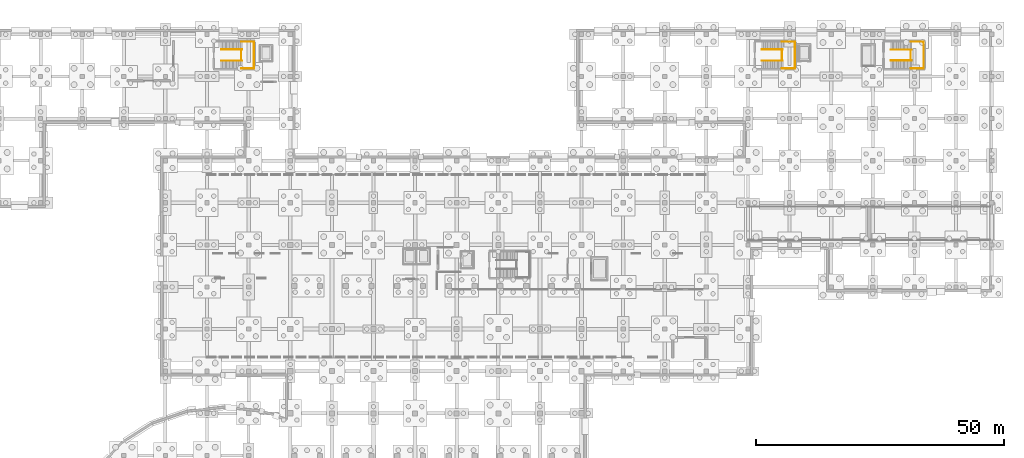
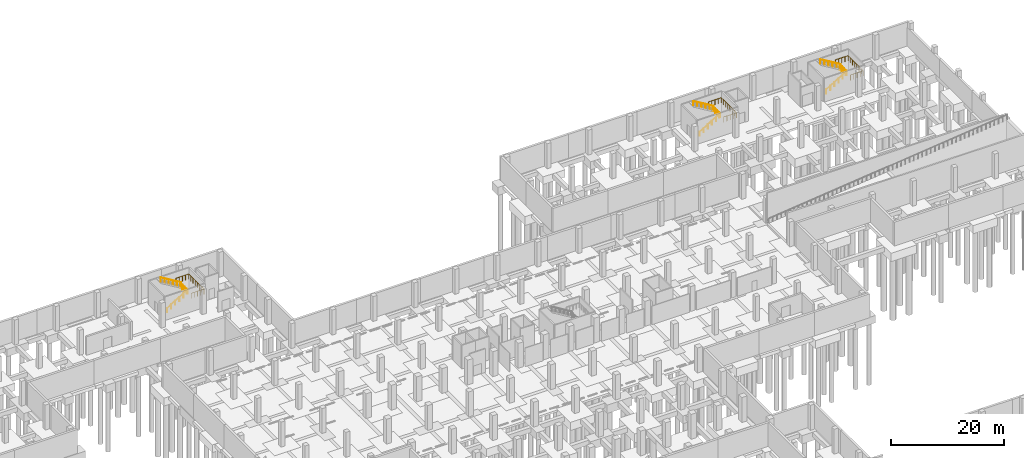
# One storey, part 33 of 34: 12 railings.
"""IFC4 building model written with IfcOpenShell, lengths in metres."""

import ifcopenshell
import ifcopenshell.guid

model = None  # the IFC model being written
_history = None  # IfcOwnerHistory: only IFC2X3 demands one
_inside = {}  # id of a spatial element -> (the spatial element, [elements in it])
_under = {}  # id of a project, library or spatial element -> (it, [spatial elements below it])
_declared = {}  # id of a project -> (the project, [libraries it declares])
_typed = {}  # id of a type object -> (the type object, [elements of that type])
_made_of = {}  # id of a material, layer set ... -> (it, [elements and type objects made of it])


def new_model(schema):
    """Start an empty IFC model of exactly this schema.

    Asked for "IFC4X3", IfcOpenShell would pick the latest addendum, in which some entities
    have other attributes; the version numbers below select the first issue.
    IFC2X3 requires an IfcOwnerHistory on every rooted entity: one is made here for all.
    """
    global model, _history
    if schema == "IFC4X3":
        model = ifcopenshell.file(schema_version=(4, 3, 0, 0))
    else:
        model = ifcopenshell.file(schema=schema)
    _inside.clear()
    _under.clear()
    _declared.clear()
    _typed.clear()
    _made_of.clear()
    _history = None
    if model.schema == "IFC2X3":
        org = make("IfcOrganization", Name="unknown")
        user = make(
            "IfcPersonAndOrganization",
            ThePerson=make("IfcPerson", FamilyName="unknown"),
            TheOrganization=org,
        )
        app = make(
            "IfcApplication",
            ApplicationDeveloper=org,
            Version="unknown",
            ApplicationFullName="unknown",
            ApplicationIdentifier="unknown",
        )
        _history = make(
            "IfcOwnerHistory",
            OwningUser=user,
            OwningApplication=app,
            ChangeAction="ADDED",
            CreationDate=0,
        )
    return model


def make(cls, **values):
    """One entity of the class cls with the attributes given. An attribute that is None is left unset."""
    return model.create_entity(
        cls, **{name: value for name, value in values.items() if value is not None}
    )


def rooted(cls, **values):
    """An entity with a GlobalId (a new one), such as an element, a storey or a relation."""
    return make(cls, GlobalId=ifcopenshell.guid.new(), OwnerHistory=_history, **values)


def si_unit(unit_type, name, prefix=None):
    """IfcSIUnit, for example si_unit("LENGTHUNIT", "METRE", prefix="MILLI")."""
    return make("IfcSIUnit", UnitType=unit_type, Prefix=prefix, Name=name)


def assignment(units):
    """IfcUnitAssignment: the units of a project."""
    return None if units is None else make("IfcUnitAssignment", Units=units)


def point(xyz):
    """IfcCartesianPoint."""
    return None if xyz is None else make("IfcCartesianPoint", Coordinates=xyz)


def direction(xyz):
    """IfcDirection."""
    return None if xyz is None else make("IfcDirection", DirectionRatios=xyz)


def frame(location, z_axis=None, x_axis=None):
    """IfcAxis2Placement3D, a coordinate frame: its origin and axes. An axis left out is left unset."""
    return make(
        "IfcAxis2Placement3D",
        Location=point(location),
        Axis=direction(z_axis),
        RefDirection=direction(x_axis),
    )


def frame_2d(location, x_axis=None):
    """IfcAxis2Placement2D, a coordinate frame in the plane: its origin and x axis."""
    return make(
        "IfcAxis2Placement2D", Location=point(location), RefDirection=direction(x_axis)
    )


def origin():
    """The frame at (0, 0, 0) with its axes left unset."""
    return frame((0.0, 0.0, 0.0))


def origin_2d():
    """The frame at (0, 0) in the plane with its x axis left unset."""
    return frame_2d((0.0, 0.0))


def place(relative_to, where):
    """IfcLocalPlacement: puts the frame where relative to a parent placement (None: the world)."""
    return make(
        "IfcLocalPlacement", PlacementRelTo=relative_to, RelativePlacement=where
    )


def context(
    kind, dimensions, precision=None, world=None, true_north=None, identifier=None
):
    """IfcGeometricRepresentationContext, for example the 3D "Model" context."""
    return make(
        "IfcGeometricRepresentationContext",
        ContextIdentifier=identifier,
        ContextType=kind,
        CoordinateSpaceDimension=dimensions,
        Precision=precision,
        WorldCoordinateSystem=world,
        TrueNorth=true_north,
    )


def subcontext(parent, identifier, kind, view, scale=None):
    """IfcGeometricRepresentationSubContext, for example "Body" below "Model"."""
    return make(
        "IfcGeometricRepresentationSubContext",
        ContextIdentifier=identifier,
        ContextType=kind,
        ParentContext=parent,
        TargetScale=scale,
        TargetView=view,
    )


def project(units=None, contexts=None):
    """IfcProject with its units and contexts."""
    return rooted(
        "IfcProject",
        Name="project",
        RepresentationContexts=contexts,
        UnitsInContext=assignment(units),
    )


def spatial(cls, under=None, at=None, **own):
    """A site, building, storey or space (cls), placed at a placement, below another one or the project."""
    s = rooted(cls, ObjectPlacement=at, **own)
    if under is not None:
        _under.setdefault(under.id(), (under, []))[1].append(s)
    return s


def profile(cls, at=None, kind="AREA", **sizes):
    """A parametric profile (cls). Its sizes go by their IFC names, for example OverallWidth=200.0."""
    return make(cls, ProfileType=kind, Position=at, **sizes)


def circle(**sizes):
    """IfcCircleProfileDef."""
    return profile("IfcCircleProfileDef", **sizes)


def extrude(swept, where, along, depth):
    """IfcExtrudedAreaSolid: the profile swept, set in the frame where, extruded along a direction by depth."""
    return make(
        "IfcExtrudedAreaSolid",
        SweptArea=swept,
        Position=where,
        ExtrudedDirection=direction(along),
        Depth=depth,
    )


def shape(context_of_items, identifier, shape_type, items):
    """IfcShapeRepresentation: the items that make up one representation, for example the "Body"."""
    return make(
        "IfcShapeRepresentation",
        ContextOfItems=context_of_items,
        RepresentationIdentifier=identifier,
        RepresentationType=shape_type,
        Items=items,
    )


def material(Name=None, Category=None):
    """IfcMaterial."""
    return make("IfcMaterial", Name=Name, Category=Category)


def made_of(thing, what):
    """Note that an element or type object is made of a material, layer set ...; save() writes the relation."""
    if what is not None:
        _made_of.setdefault(what.id(), (what, []))[1].append(thing)
    return thing


def type_object(cls, material=None, **own):
    """A type object (cls), such as IfcWallType, which elements share."""
    return made_of(rooted(cls, **own), material)


def element(
    cls,
    number,
    at=None,
    inside=None,
    cuts=None,
    type_object=None,
    material=None,
    context=None,
    identifier="Body",
    shape_type=None,
    held_by="IfcProductDefinitionShape",
    body=None,
    shapes=None,
    **own,
):
    """One element of the class cls, such as IfcWall. Its Tag is "e" and its number.

    at: its placement. inside: the storey or other place that contains it. cuts: it is an
    opening in that element (IfcRelVoidsElement). A single representation is given by context,
    identifier, shape_type and body (its items); several are given by shapes. held_by: the class
    of the entity that holds the representations. save() writes the other relations.
    """
    e = rooted(cls, Tag="e%d" % number, ObjectPlacement=at, **own)
    if body is not None:
        shapes = [shape(context, identifier, shape_type, body)]
    if shapes is not None:
        e.Representation = make(held_by, Representations=shapes)
    if inside is not None:
        _inside.setdefault(inside.id(), (inside, []))[1].append(e)
    if cuts is not None:
        rooted(
            "IfcRelVoidsElement", RelatingBuildingElement=cuts, RelatedOpeningElement=e
        )
    if type_object is not None:
        _typed.setdefault(type_object.id(), (type_object, []))[1].append(e)
    return made_of(e, material)


def aggregate(whole, parts):
    """IfcRelAggregates: a whole, such as a stair, and the parts it consists of."""
    return rooted("IfcRelAggregates", RelatingObject=whole, RelatedObjects=parts)


def save(model, path):
    """Write the relations noted so far, then the file.

    IfcRelAggregates (storeys below a building ...), IfcRelContainedInSpatialStructure (elements
    in a storey), IfcRelDefinesByType, IfcRelAssociatesMaterial and IfcRelDeclares: one each for
    every whole, place, type object, material and project.
    """
    for whole, parts in _under.values():
        aggregate(whole, parts)
    for where, things in _inside.values():
        rooted(
            "IfcRelContainedInSpatialStructure",
            RelatedElements=things,
            RelatingStructure=where,
        )
    for kind, things in _typed.values():
        rooted("IfcRelDefinesByType", RelatedObjects=things, RelatingType=kind)
    for what, things in _made_of.values():
        rooted("IfcRelAssociatesMaterial", RelatedObjects=things, RelatingMaterial=what)
    for by, libraries in _declared.values():
        rooted("IfcRelDeclares", RelatingContext=by, RelatedDefinitions=libraries)
    model.write(path)


model = new_model("IFC4")

# Units and contexts
model_context = context("Model", 3, precision=1e-05, world=origin(), true_north=direction((0.0, 1.0)))
body_context = subcontext(model_context, "Body", "Model", "MODEL_VIEW")
ifc_project = project(units=[si_unit("LENGTHUNIT", "METRE"), si_unit("AREAUNIT", "SQUARE_METRE"), si_unit("VOLUMEUNIT", "CUBIC_METRE"), si_unit("PLANEANGLEUNIT", "RADIAN"), si_unit("MASSUNIT", "GRAM", prefix="KILO")], contexts=[model_context])

# Site, building, storey
site_placement = place(None, origin())
site = spatial("IfcSite", under=ifc_project, at=site_placement, CompositionType="ELEMENT")
building_placement = place(site_placement, origin())
building = spatial("IfcBuilding", under=site, at=building_placement, Name="Solvento Point Concert Hall", CompositionType="ELEMENT")
storey_placement = place(building_placement, frame((0.0, 0.0, -5.39990234375)))
storey = spatial("IfcBuildingStorey", under=building, at=storey_placement, Name="B01", CompositionType="ELEMENT", Elevation=-5.39990234375)

# Railings
ifc_material_1 = material(Name="Brushed Stainless Steel Balustrade", Category="steel")
railing_type_1 = type_object("IfcRailingType", Name="StairHandrail_915", PredefinedType="HANDRAIL", material=ifc_material_1)
railing_1_placement = place(storey_placement, frame((169.64990234375, 130.64990234375, 0.168701171875)))
element("IfcRailing", 1, at=railing_1_placement, inside=storey, type_object=railing_type_1, Name="Stair handrail HR-01 ST-01 B01 F1", PredefinedType="HANDRAIL", context=body_context, shape_type="SweptSolid", body=[
    extrude(circle(Radius=0.0224609375, at=origin_2d()), frame((0.0, 0.0, 0.892578125), z_axis=(0.856489757249, 0.0, 0.516164020179), x_axis=(0.0, 1.0, 0.0)), (0.0, 0.0, 1.0), 4.904052734375),
    extrude(circle(Radius=0.01904296875, at=origin_2d()), origin(), (0.0, 0.0, 1.0), 0.8701171875),
    extrude(circle(Radius=0.01904296875, at=origin_2d()), frame((0.840087890625, 0.0, 0.50634765625)), (0.0, 0.0, 1.0), 0.8701171875),
    extrude(circle(Radius=0.01904296875, at=origin_2d()), frame((1.68017578125, 0.0, 1.012451171875)), (0.0, 0.0, 1.0), 0.8701171875),
    extrude(circle(Radius=0.01904296875, at=origin_2d()), frame((2.52001953125, 0.0, 1.518798828125)), (0.0, 0.0, 1.0), 0.8701171875),
    extrude(circle(Radius=0.01904296875, at=origin_2d()), frame((3.360107421875, 0.0, 2.02490234375)), (0.0, 0.0, 1.0), 0.8701171875),
    extrude(circle(Radius=0.01904296875, at=origin_2d()), frame((4.2001953125, 0.0, 2.53125)), (0.0, 0.0, 1.0), 0.8701171875),
])
railing_2_placement = place(storey_placement, frame((173.85009765625, 132.949951171875, 2.86865234375)))
element("IfcRailing", 2, at=railing_2_placement, inside=storey, type_object=railing_type_1, Name="Stair handrail HR-01 ST-01 B01 F2", PredefinedType="HANDRAIL", context=body_context, shape_type="SweptSolid", body=[
    extrude(circle(Radius=0.0224609375, at=origin_2d()), frame((0.0, 0.0, 0.892578125), z_axis=(-0.856489757249, 0.0, 0.516164020179), x_axis=(0.0, -1.0, 0.0)), (0.0, 0.0, 1.0), 4.904052734375),
    extrude(circle(Radius=0.01904296875, at=origin_2d()), origin(), (0.0, 0.0, 1.0), 0.8701171875),
    extrude(circle(Radius=0.01904296875, at=origin_2d()), frame((-0.840087890625, 0.0, 0.50634765625)), (0.0, 0.0, 1.0), 0.8701171875),
    extrude(circle(Radius=0.01904296875, at=origin_2d()), frame((-1.68017578125, 0.0, 1.012451171875)), (0.0, 0.0, 1.0), 0.8701171875),
    extrude(circle(Radius=0.01904296875, at=origin_2d()), frame((-2.52001953125, 0.0, 1.518798828125)), (0.0, 0.0, 1.0), 0.8701171875),
    extrude(circle(Radius=0.01904296875, at=origin_2d()), frame((-3.360107421875, 0.0, 2.02490234375)), (0.0, 0.0, 1.0), 0.8701171875),
    extrude(circle(Radius=0.01904296875, at=origin_2d()), frame((-4.2001953125, 0.0, 2.53125)), (0.0, 0.0, 1.0), 0.8701171875),
])
railing_3_placement = place(storey_placement, frame((195.64990234375, 130.72998046875, 0.168701171875)))
element("IfcRailing", 3, at=railing_3_placement, inside=storey, type_object=railing_type_1, Name="Stair handrail HR-01 ST-02 B01 F1", PredefinedType="HANDRAIL", context=body_context, shape_type="SweptSolid", body=[
    extrude(circle(Radius=0.0224609375, at=origin_2d()), frame((0.0, 0.0, 0.892578125), z_axis=(0.856489757249, 0.0, 0.516164020179), x_axis=(0.0, 1.0, 0.0)), (0.0, 0.0, 1.0), 4.904052734375),
    extrude(circle(Radius=0.01904296875, at=origin_2d()), origin(), (0.0, 0.0, 1.0), 0.8701171875),
    extrude(circle(Radius=0.01904296875, at=origin_2d()), frame((0.840087890625, 0.0, 0.50634765625)), (0.0, 0.0, 1.0), 0.8701171875),
    extrude(circle(Radius=0.01904296875, at=origin_2d()), frame((1.68017578125, 0.0, 1.012451171875)), (0.0, 0.0, 1.0), 0.8701171875),
    extrude(circle(Radius=0.01904296875, at=origin_2d()), frame((2.52001953125, 0.0, 1.518798828125)), (0.0, 0.0, 1.0), 0.8701171875),
    extrude(circle(Radius=0.01904296875, at=origin_2d()), frame((3.360107421875, 0.0, 2.02490234375)), (0.0, 0.0, 1.0), 0.8701171875),
    extrude(circle(Radius=0.01904296875, at=origin_2d()), frame((4.2001953125, 0.0, 2.53125)), (0.0, 0.0, 1.0), 0.8701171875),
])
railing_4_placement = place(storey_placement, frame((199.85009765625, 132.8701171875, 2.86865234375)))
element("IfcRailing", 4, at=railing_4_placement, inside=storey, type_object=railing_type_1, Name="Stair handrail HR-01 ST-02 B01 F2", PredefinedType="HANDRAIL", context=body_context, shape_type="SweptSolid", body=[
    extrude(circle(Radius=0.0224609375, at=origin_2d()), frame((0.0, 0.0, 0.892578125), z_axis=(-0.856489757249, 0.0, 0.516164020179), x_axis=(0.0, -1.0, 0.0)), (0.0, 0.0, 1.0), 4.904052734375),
    extrude(circle(Radius=0.01904296875, at=origin_2d()), origin(), (0.0, 0.0, 1.0), 0.8701171875),
    extrude(circle(Radius=0.01904296875, at=origin_2d()), frame((-0.840087890625, 0.0, 0.50634765625)), (0.0, 0.0, 1.0), 0.8701171875),
    extrude(circle(Radius=0.01904296875, at=origin_2d()), frame((-1.68017578125, 0.0, 1.012451171875)), (0.0, 0.0, 1.0), 0.8701171875),
    extrude(circle(Radius=0.01904296875, at=origin_2d()), frame((-2.52001953125, 0.0, 1.518798828125)), (0.0, 0.0, 1.0), 0.8701171875),
    extrude(circle(Radius=0.01904296875, at=origin_2d()), frame((-3.360107421875, 0.0, 2.02490234375)), (0.0, 0.0, 1.0), 0.8701171875),
    extrude(circle(Radius=0.01904296875, at=origin_2d()), frame((-4.2001953125, 0.0, 2.53125)), (0.0, 0.0, 1.0), 0.8701171875),
])
railing_5_placement = place(storey_placement, frame((60.449951171875, 130.64990234375, 0.168701171875)))
element("IfcRailing", 5, at=railing_5_placement, inside=storey, type_object=railing_type_1, Name="Stair handrail HR-01 ST-04 B01 F1", PredefinedType="HANDRAIL", context=body_context, shape_type="SweptSolid", body=[
    extrude(circle(Radius=0.0224609375, at=origin_2d()), frame((0.0, 0.0, 0.892578125), z_axis=(0.856476492594, 0.0, 0.516186030065), x_axis=(0.0, 1.0, 0.0)), (0.0, 0.0, 1.0), 4.90380859375),
    extrude(circle(Radius=0.01904296875, at=origin_2d()), origin(), (0.0, 0.0, 1.0), 0.8701171875),
    extrude(circle(Radius=0.01904296875, at=origin_2d()), frame((0.840087890625, 0.0, 0.50634765625)), (0.0, 0.0, 1.0), 0.8701171875),
    extrude(circle(Radius=0.01904296875, at=origin_2d()), frame((1.679931640625, 0.0, 1.012451171875)), (0.0, 0.0, 1.0), 0.8701171875),
    extrude(circle(Radius=0.01904296875, at=origin_2d()), frame((2.52001953125, 0.0, 1.518798828125)), (0.0, 0.0, 1.0), 0.8701171875),
    extrude(circle(Radius=0.01904296875, at=origin_2d()), frame((3.35986328125, 0.0, 2.02490234375)), (0.0, 0.0, 1.0), 0.8701171875),
    extrude(circle(Radius=0.01904296875, at=origin_2d()), frame((4.199951171875, 0.0, 2.53125)), (0.0, 0.0, 1.0), 0.8701171875),
])
railing_6_placement = place(storey_placement, frame((64.64990234375, 132.949951171875, 2.86865234375)))
element("IfcRailing", 6, at=railing_6_placement, inside=storey, type_object=railing_type_1, Name="Stair handrail HR-01 ST-04 B01 F2", PredefinedType="HANDRAIL", context=body_context, shape_type="SweptSolid", body=[
    extrude(circle(Radius=0.0224609375, at=origin_2d()), frame((0.0, 0.0, 0.892578125), z_axis=(-0.856476492594, 0.0, 0.516186030065), x_axis=(0.0, -1.0, 0.0)), (0.0, 0.0, 1.0), 4.90380859375),
    extrude(circle(Radius=0.01904296875, at=origin_2d()), origin(), (0.0, 0.0, 1.0), 0.8701171875),
    extrude(circle(Radius=0.01904296875, at=origin_2d()), frame((-0.840087890625, 0.0, 0.50634765625)), (0.0, 0.0, 1.0), 0.8701171875),
    extrude(circle(Radius=0.01904296875, at=origin_2d()), frame((-1.679931640625, 0.0, 1.012451171875)), (0.0, 0.0, 1.0), 0.8701171875),
    extrude(circle(Radius=0.01904296875, at=origin_2d()), frame((-2.52001953125, 0.0, 1.518798828125)), (0.0, 0.0, 1.0), 0.8701171875),
    extrude(circle(Radius=0.01904296875, at=origin_2d()), frame((-3.35986328125, 0.0, 2.02490234375)), (0.0, 0.0, 1.0), 0.8701171875),
    extrude(circle(Radius=0.01904296875, at=origin_2d()), frame((-4.199951171875, 0.0, 2.53125)), (0.0, 0.0, 1.0), 0.8701171875),
])
ifc_material_2 = material(Name="Brushed Stainless Steel Balustrade", Category="steel")
railing_type_2 = type_object("IfcRailingType", Name="StairWellGuard_1100", PredefinedType="BALUSTRADE", material=ifc_material_2)
railing_7_placement = place(storey_placement, frame((173.679931640625, 129.10009765625, 2.699951171875)))
element("IfcRailing", 7, at=railing_7_placement, inside=storey, type_object=railing_type_2, Name="Half-landing perimeter guard GR-02 ST-01 B01", PredefinedType="BALUSTRADE", context=body_context, shape_type="SweptSolid", body=[
    extrude(circle(Radius=0.02392578125, at=origin_2d()), frame((0.0, 0.0, 1.09619140625), z_axis=(0.999970811124, 0.007640477685, 0.0), x_axis=(-0.007640477685, 0.999970811124, 0.0)), (0.0, 0.0, 1.0), 2.6201171875),
    extrude(circle(Radius=0.02392578125, at=origin_2d()), frame((2.6201171875, 0.02001953125, 1.09619140625), z_axis=(0.0, 1.0, 0.0), x_axis=(-1.0, 0.0, 0.0)), (0.0, 0.0, 1.0), 5.35986328125),
    extrude(circle(Radius=0.02392578125, at=origin_2d()), frame((2.6201171875, 5.3798828125, 1.09619140625), z_axis=(-0.999970811124, 0.007640477685, 0.0), x_axis=(-0.007640477685, -0.999970811124, 0.0)), (0.0, 0.0, 1.0), 2.6201171875),
    extrude(circle(Radius=0.02099609375, at=origin_2d()), origin(), (0.0, 0.0, 1.0), 1.072021484375),
    extrude(circle(Radius=0.02099609375, at=origin_2d()), frame((0.655029296875, 0.0048828125, 0.0)), (0.0, 0.0, 1.0), 1.072021484375),
    extrude(circle(Radius=0.02099609375, at=origin_2d()), frame((1.31005859375, 0.010009765625, 0.0)), (0.0, 0.0, 1.0), 1.072021484375),
    extrude(circle(Radius=0.02099609375, at=origin_2d()), frame((1.965087890625, 0.01513671875, 0.0)), (0.0, 0.0, 1.0), 1.072021484375),
    extrude(circle(Radius=0.02099609375, at=origin_2d()), frame((2.6201171875, 0.02001953125, 0.0)), (0.0, 0.0, 1.0), 1.072021484375),
    extrude(circle(Radius=0.02099609375, at=origin_2d()), frame((2.6201171875, 0.78564453125, 0.0)), (0.0, 0.0, 1.0), 1.072021484375),
    extrude(circle(Radius=0.02099609375, at=origin_2d()), frame((2.6201171875, 1.551513671875, 0.0)), (0.0, 0.0, 1.0), 1.072021484375),
    extrude(circle(Radius=0.02099609375, at=origin_2d()), frame((2.6201171875, 2.317138671875, 0.0)), (0.0, 0.0, 1.0), 1.072021484375),
    extrude(circle(Radius=0.02099609375, at=origin_2d()), frame((2.6201171875, 3.082763671875, 0.0)), (0.0, 0.0, 1.0), 1.072021484375),
    extrude(circle(Radius=0.02099609375, at=origin_2d()), frame((2.6201171875, 3.848388671875, 0.0)), (0.0, 0.0, 1.0), 1.072021484375),
    extrude(circle(Radius=0.02099609375, at=origin_2d()), frame((2.6201171875, 4.6142578125, 0.0)), (0.0, 0.0, 1.0), 1.072021484375),
    extrude(circle(Radius=0.02099609375, at=origin_2d()), frame((2.6201171875, 5.3798828125, 0.0)), (0.0, 0.0, 1.0), 1.072021484375),
    extrude(circle(Radius=0.02099609375, at=origin_2d()), frame((1.965087890625, 5.384765625, 0.0)), (0.0, 0.0, 1.0), 1.072021484375),
    extrude(circle(Radius=0.02099609375, at=origin_2d()), frame((1.31005859375, 5.389892578125, 0.0)), (0.0, 0.0, 1.0), 1.072021484375),
    extrude(circle(Radius=0.02099609375, at=origin_2d()), frame((0.655029296875, 5.39501953125, 0.0)), (0.0, 0.0, 1.0), 1.072021484375),
    extrude(circle(Radius=0.02099609375, at=origin_2d()), frame((0.0, 5.39990234375, 0.0)), (0.0, 0.0, 1.0), 1.072021484375),
])
railing_8_placement = place(storey_placement, frame((173.679931640625, 130.699951171875, 2.699951171875)))
element("IfcRailing", 8, at=railing_8_placement, inside=storey, type_object=railing_type_2, Name="Half-landing slot guard GR-02 ST-01 B01", PredefinedType="BALUSTRADE", context=body_context, shape_type="SweptSolid", body=[
    extrude(circle(Radius=0.02392578125, at=origin_2d()), frame((0.0, 0.0, 1.09619140625), z_axis=(0.0, 1.0, 0.0), x_axis=(-1.0, 0.0, 0.0)), (0.0, 0.0, 1.0), 2.199951171875),
    extrude(circle(Radius=0.02099609375, at=origin_2d()), origin(), (0.0, 0.0, 1.0), 1.072021484375),
    extrude(circle(Radius=0.02099609375, at=origin_2d()), frame((0.0, 0.7333984375, 0.0)), (0.0, 0.0, 1.0), 1.072021484375),
    extrude(circle(Radius=0.02099609375, at=origin_2d()), frame((0.0, 1.466552734375, 0.0)), (0.0, 0.0, 1.0), 1.072021484375),
    extrude(circle(Radius=0.02099609375, at=origin_2d()), frame((0.0, 2.199951171875, 0.0)), (0.0, 0.0, 1.0), 1.072021484375),
])
railing_9_placement = place(storey_placement, frame((199.679931640625, 129.10009765625, 2.699951171875)))
element("IfcRailing", 9, at=railing_9_placement, inside=storey, type_object=railing_type_2, Name="Half-landing perimeter guard GR-02 ST-02 B01", PredefinedType="BALUSTRADE", context=body_context, shape_type="SweptSolid", body=[
    extrude(circle(Radius=0.02392578125, at=origin_2d()), frame((0.0, 0.0, 1.09619140625), z_axis=(0.999970811124, 0.007640477685, 0.0), x_axis=(-0.007640477685, 0.999970811124, 0.0)), (0.0, 0.0, 1.0), 2.6201171875),
    extrude(circle(Radius=0.02392578125, at=origin_2d()), frame((2.6201171875, 0.02001953125, 1.09619140625), z_axis=(0.0, 1.0, 0.0), x_axis=(-1.0, 0.0, 0.0)), (0.0, 0.0, 1.0), 5.35986328125),
    extrude(circle(Radius=0.02392578125, at=origin_2d()), frame((2.6201171875, 5.3798828125, 1.09619140625), z_axis=(-0.999970811124, 0.007640477685, 0.0), x_axis=(-0.007640477685, -0.999970811124, 0.0)), (0.0, 0.0, 1.0), 2.6201171875),
    extrude(circle(Radius=0.02099609375, at=origin_2d()), origin(), (0.0, 0.0, 1.0), 1.072021484375),
    extrude(circle(Radius=0.02099609375, at=origin_2d()), frame((0.655029296875, 0.0048828125, 0.0)), (0.0, 0.0, 1.0), 1.072021484375),
    extrude(circle(Radius=0.02099609375, at=origin_2d()), frame((1.31005859375, 0.010009765625, 0.0)), (0.0, 0.0, 1.0), 1.072021484375),
    extrude(circle(Radius=0.02099609375, at=origin_2d()), frame((1.965087890625, 0.01513671875, 0.0)), (0.0, 0.0, 1.0), 1.072021484375),
    extrude(circle(Radius=0.02099609375, at=origin_2d()), frame((2.6201171875, 0.02001953125, 0.0)), (0.0, 0.0, 1.0), 1.072021484375),
    extrude(circle(Radius=0.02099609375, at=origin_2d()), frame((2.6201171875, 0.78564453125, 0.0)), (0.0, 0.0, 1.0), 1.072021484375),
    extrude(circle(Radius=0.02099609375, at=origin_2d()), frame((2.6201171875, 1.551513671875, 0.0)), (0.0, 0.0, 1.0), 1.072021484375),
    extrude(circle(Radius=0.02099609375, at=origin_2d()), frame((2.6201171875, 2.317138671875, 0.0)), (0.0, 0.0, 1.0), 1.072021484375),
    extrude(circle(Radius=0.02099609375, at=origin_2d()), frame((2.6201171875, 3.082763671875, 0.0)), (0.0, 0.0, 1.0), 1.072021484375),
    extrude(circle(Radius=0.02099609375, at=origin_2d()), frame((2.6201171875, 3.848388671875, 0.0)), (0.0, 0.0, 1.0), 1.072021484375),
    extrude(circle(Radius=0.02099609375, at=origin_2d()), frame((2.6201171875, 4.6142578125, 0.0)), (0.0, 0.0, 1.0), 1.072021484375),
    extrude(circle(Radius=0.02099609375, at=origin_2d()), frame((2.6201171875, 5.3798828125, 0.0)), (0.0, 0.0, 1.0), 1.072021484375),
    extrude(circle(Radius=0.02099609375, at=origin_2d()), frame((1.965087890625, 5.384765625, 0.0)), (0.0, 0.0, 1.0), 1.072021484375),
    extrude(circle(Radius=0.02099609375, at=origin_2d()), frame((1.31005859375, 5.389892578125, 0.0)), (0.0, 0.0, 1.0), 1.072021484375),
    extrude(circle(Radius=0.02099609375, at=origin_2d()), frame((0.655029296875, 5.39501953125, 0.0)), (0.0, 0.0, 1.0), 1.072021484375),
    extrude(circle(Radius=0.02099609375, at=origin_2d()), frame((0.0, 5.39990234375, 0.0)), (0.0, 0.0, 1.0), 1.072021484375),
])
railing_10_placement = place(storey_placement, frame((199.679931640625, 130.780029296875, 2.699951171875)))
element("IfcRailing", 10, at=railing_10_placement, inside=storey, type_object=railing_type_2, Name="Half-landing slot guard GR-02 ST-02 B01", PredefinedType="BALUSTRADE", context=body_context, shape_type="SweptSolid", body=[
    extrude(circle(Radius=0.02392578125, at=origin_2d()), frame((0.0, 0.0, 1.09619140625), z_axis=(0.0, 1.0, 0.0), x_axis=(-1.0, 0.0, 0.0)), (0.0, 0.0, 1.0), 2.0400390625),
    extrude(circle(Radius=0.02099609375, at=origin_2d()), origin(), (0.0, 0.0, 1.0), 1.072021484375),
    extrude(circle(Radius=0.02099609375, at=origin_2d()), frame((0.0, 0.679931640625, 0.0)), (0.0, 0.0, 1.0), 1.072021484375),
    extrude(circle(Radius=0.02099609375, at=origin_2d()), frame((0.0, 1.360107421875, 0.0)), (0.0, 0.0, 1.0), 1.072021484375),
    extrude(circle(Radius=0.02099609375, at=origin_2d()), frame((0.0, 2.0400390625, 0.0)), (0.0, 0.0, 1.0), 1.072021484375),
])
railing_11_placement = place(storey_placement, frame((64.47998046875, 129.10009765625, 2.699951171875)))
element("IfcRailing", 11, at=railing_11_placement, inside=storey, type_object=railing_type_2, Name="Half-landing perimeter guard GR-02 ST-04 B01", PredefinedType="BALUSTRADE", context=body_context, shape_type="SweptSolid", body=[
    extrude(circle(Radius=0.02392578125, at=origin_2d()), frame((0.0, 0.0, 1.09619140625), z_axis=(0.999970811124, 0.007640477685, 0.0), x_axis=(-0.007640477685, 0.999970811124, 0.0)), (0.0, 0.0, 1.0), 2.6201171875),
    extrude(circle(Radius=0.02392578125, at=origin_2d()), frame((2.6201171875, 0.02001953125, 1.09619140625), z_axis=(0.0, 1.0, 0.0), x_axis=(-1.0, 0.0, 0.0)), (0.0, 0.0, 1.0), 5.35986328125),
    extrude(circle(Radius=0.02392578125, at=origin_2d()), frame((2.6201171875, 5.3798828125, 1.09619140625), z_axis=(-0.999970811124, 0.007640477685, 0.0), x_axis=(-0.007640477685, -0.999970811124, 0.0)), (0.0, 0.0, 1.0), 2.6201171875),
    extrude(circle(Radius=0.02099609375, at=origin_2d()), origin(), (0.0, 0.0, 1.0), 1.072021484375),
    extrude(circle(Radius=0.02099609375, at=origin_2d()), frame((0.655029296875, 0.0048828125, 0.0)), (0.0, 0.0, 1.0), 1.072021484375),
    extrude(circle(Radius=0.02099609375, at=origin_2d()), frame((1.31005859375, 0.010009765625, 0.0)), (0.0, 0.0, 1.0), 1.072021484375),
    extrude(circle(Radius=0.02099609375, at=origin_2d()), frame((1.965087890625, 0.01513671875, 0.0)), (0.0, 0.0, 1.0), 1.072021484375),
    extrude(circle(Radius=0.02099609375, at=origin_2d()), frame((2.6201171875, 0.02001953125, 0.0)), (0.0, 0.0, 1.0), 1.072021484375),
    extrude(circle(Radius=0.02099609375, at=origin_2d()), frame((2.6201171875, 0.78564453125, 0.0)), (0.0, 0.0, 1.0), 1.072021484375),
    extrude(circle(Radius=0.02099609375, at=origin_2d()), frame((2.6201171875, 1.551513671875, 0.0)), (0.0, 0.0, 1.0), 1.072021484375),
    extrude(circle(Radius=0.02099609375, at=origin_2d()), frame((2.6201171875, 2.317138671875, 0.0)), (0.0, 0.0, 1.0), 1.072021484375),
    extrude(circle(Radius=0.02099609375, at=origin_2d()), frame((2.6201171875, 3.082763671875, 0.0)), (0.0, 0.0, 1.0), 1.072021484375),
    extrude(circle(Radius=0.02099609375, at=origin_2d()), frame((2.6201171875, 3.848388671875, 0.0)), (0.0, 0.0, 1.0), 1.072021484375),
    extrude(circle(Radius=0.02099609375, at=origin_2d()), frame((2.6201171875, 4.6142578125, 0.0)), (0.0, 0.0, 1.0), 1.072021484375),
    extrude(circle(Radius=0.02099609375, at=origin_2d()), frame((2.6201171875, 5.3798828125, 0.0)), (0.0, 0.0, 1.0), 1.072021484375),
    extrude(circle(Radius=0.02099609375, at=origin_2d()), frame((1.965087890625, 5.384765625, 0.0)), (0.0, 0.0, 1.0), 1.072021484375),
    extrude(circle(Radius=0.02099609375, at=origin_2d()), frame((1.31005859375, 5.389892578125, 0.0)), (0.0, 0.0, 1.0), 1.072021484375),
    extrude(circle(Radius=0.02099609375, at=origin_2d()), frame((0.655029296875, 5.39501953125, 0.0)), (0.0, 0.0, 1.0), 1.072021484375),
    extrude(circle(Radius=0.02099609375, at=origin_2d()), frame((0.0, 5.39990234375, 0.0)), (0.0, 0.0, 1.0), 1.072021484375),
])
railing_12_placement = place(storey_placement, frame((64.47998046875, 130.699951171875, 2.699951171875)))
element("IfcRailing", 12, at=railing_12_placement, inside=storey, type_object=railing_type_2, Name="Half-landing slot guard GR-02 ST-04 B01", PredefinedType="BALUSTRADE", context=body_context, shape_type="SweptSolid", body=[
    extrude(circle(Radius=0.02392578125, at=origin_2d()), frame((0.0, 0.0, 1.09619140625), z_axis=(0.0, 1.0, 0.0), x_axis=(-1.0, 0.0, 0.0)), (0.0, 0.0, 1.0), 2.199951171875),
    extrude(circle(Radius=0.02099609375, at=origin_2d()), origin(), (0.0, 0.0, 1.0), 1.072021484375),
    extrude(circle(Radius=0.02099609375, at=origin_2d()), frame((0.0, 0.7333984375, 0.0)), (0.0, 0.0, 1.0), 1.072021484375),
    extrude(circle(Radius=0.02099609375, at=origin_2d()), frame((0.0, 1.466552734375, 0.0)), (0.0, 0.0, 1.0), 1.072021484375),
    extrude(circle(Radius=0.02099609375, at=origin_2d()), frame((0.0, 2.199951171875, 0.0)), (0.0, 0.0, 1.0), 1.072021484375),
])

save(model, "model.ifc")
